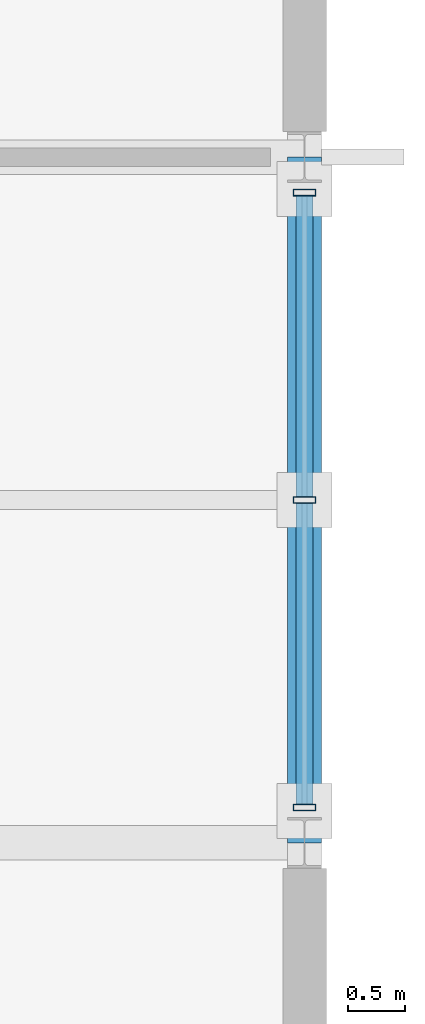
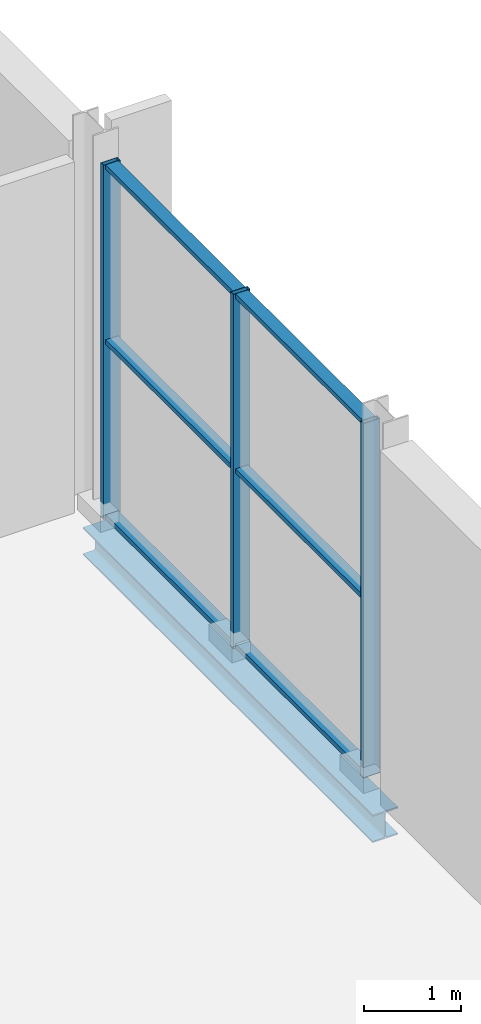
# One storey, part 118 of 159: 9 members, 1 beam, 1 element without a shape of its own.
"""IFC4 building model written with IfcOpenShell, lengths in metres."""

from ifc_helpers import new_model, si_unit, direction, frame, origin, origin_2d, place, context, subcontext, project, spatial, hollow_rectangle, i_section, extrude, material, material_profile, profile_set, type_object, element, aggregate, save


model = new_model("IFC4")

# Units and contexts
model_context = context("Model", 3, precision=1e-05, world=origin(), true_north=direction((0.0, 1.0)))
body_context = subcontext(model_context, "Body", "Model", "MODEL_VIEW")
ifc_project = project(units=[si_unit("LENGTHUNIT", "METRE"), si_unit("AREAUNIT", "SQUARE_METRE"), si_unit("VOLUMEUNIT", "CUBIC_METRE"), si_unit("PLANEANGLEUNIT", "RADIAN"), si_unit("MASSUNIT", "GRAM", prefix="KILO")], contexts=[model_context])

# Site, building, storey
site_placement = place(None, origin())
site = spatial("IfcSite", under=ifc_project, at=site_placement, CompositionType="ELEMENT")
building_placement = place(site_placement, origin())
building = spatial("IfcBuilding", under=site, at=building_placement, Name="Merenkruunu Market Hall", CompositionType="ELEMENT")
storey_placement = place(building_placement, frame((0.0, 0.0, 5.39990234375)))
storey = spatial("IfcBuildingStorey", under=building, at=storey_placement, Name="L01", CompositionType="ELEMENT", Elevation=5.39990234375)

# Curtain wall, members
ifc_material_1 = material(Name="Powder-coated aluminium", Category="aluminium")
curtain_wall_type = type_object("IfcCurtainWallType", Name="Glazed Curtain Wall CW13", PredefinedType="USERDEFINED", material=ifc_material_1)
curtain_wall_placement = place(storey_placement, origin())
curtain_wall = element("IfcCurtainWall", 1, at=curtain_wall_placement, inside=storey, type_object=curtain_wall_type, Name="CW-L01-CWM03-210", ObjectType="GLAZED_FACADE", PredefinedType="USERDEFINED")
ifc_material_profile_1 = material_profile(ifc_material_1, hollow_rectangle(XDim=0.06005859375, YDim=0.199951171875, WallThickness=0.0048828125, at=origin_2d()), Name="ALU 60x200x5")
ifc_profile_set_1 = profile_set([ifc_material_profile_1], Name="Powder-coated aluminium")
member_type_1 = type_object("IfcMemberType", Name="Curtain Wall Mullion CWM03", PredefinedType="MULLION", material=ifc_profile_set_1)
member_1_placement = place(storey_placement, frame((192.0, 51.2900390625, 0.0), z_axis=(0.0, 0.0, 1.0), x_axis=(0.0, -1.0, 0.0)))
member_1 = element("IfcMember", 2, at=member_1_placement, type_object=member_type_1, Name="CW13 mullion 1", PredefinedType="MULLION", context=body_context, shape_type="SweptSolid", body=[
    extrude(hollow_rectangle(XDim=0.06005859375, YDim=0.199951171875, WallThickness=0.0048828125, at=origin_2d()), origin(), (0.0, 0.0, 1.0), 4.47998046875),
])
member_2_placement = place(storey_placement, frame((192.0, 48.60009765625, 0.0), z_axis=(0.0, 0.0, 1.0), x_axis=(0.0, -1.0, 0.0)))
member_2 = element("IfcMember", 3, at=member_2_placement, type_object=member_type_1, Name="CW13 mullion 2", PredefinedType="MULLION", context=body_context, shape_type="SweptSolid", body=[
    extrude(hollow_rectangle(XDim=0.06005859375, YDim=0.199951171875, WallThickness=0.0048828125, at=origin_2d()), origin(), (0.0, 0.0, 1.0), 4.47998046875),
])
member_3_placement = place(storey_placement, frame((192.0, 45.909912109375, 0.0), z_axis=(0.0, 0.0, 1.0), x_axis=(0.0, -1.0, 0.0)))
member_3 = element("IfcMember", 4, at=member_3_placement, type_object=member_type_1, Name="CW13 mullion 3", PredefinedType="MULLION", context=body_context, shape_type="SweptSolid", body=[
    extrude(hollow_rectangle(XDim=0.06005859375, YDim=0.199951171875, WallThickness=0.0048828125, at=origin_2d()), origin(), (0.0, 0.0, 1.0), 4.47998046875),
])
ifc_material_profile_2 = material_profile(ifc_material_1, hollow_rectangle(XDim=0.06005859375, YDim=0.14990234375, WallThickness=0.00390625, at=origin_2d()), Name="ALU 60x150x4")
ifc_profile_set_2 = profile_set([ifc_material_profile_2], Name="Powder-coated aluminium")
member_type_2 = type_object("IfcMemberType", Name="Curtain Wall Transom CWT04", PredefinedType="USERDEFINED", material=ifc_profile_set_2)
member_4_placement = place(storey_placement, frame((192.0, 51.260009765625, 0.030029296875), z_axis=(0.0, -1.0, 0.0), x_axis=(0.0, 0.0, 1.0)))
member_4 = element("IfcMember", 5, at=member_4_placement, type_object=member_type_2, Name="CW13 transom 1.1", ObjectType="TRANSOM", PredefinedType="USERDEFINED", context=body_context, shape_type="SweptSolid", body=[
    extrude(hollow_rectangle(XDim=0.06005859375, YDim=0.14990234375, WallThickness=0.00390625, at=origin_2d()), origin(), (0.0, 0.0, 1.0), 2.630126953125),
])
member_5_placement = place(storey_placement, frame((192.0, 51.260009765625, 2.239990234375), z_axis=(0.0, -1.0, 0.0), x_axis=(0.0, 0.0, 1.0)))
member_5 = element("IfcMember", 6, at=member_5_placement, type_object=member_type_2, Name="CW13 transom 1.2", ObjectType="TRANSOM", PredefinedType="USERDEFINED", context=body_context, shape_type="SweptSolid", body=[
    extrude(hollow_rectangle(XDim=0.06005859375, YDim=0.14990234375, WallThickness=0.00390625, at=origin_2d()), origin(), (0.0, 0.0, 1.0), 2.630126953125),
])
member_6_placement = place(storey_placement, frame((192.0, 51.260009765625, 4.4501953125), z_axis=(0.0, -1.0, 0.0), x_axis=(0.0, 0.0, 1.0)))
member_6 = element("IfcMember", 7, at=member_6_placement, type_object=member_type_2, Name="CW13 transom 1.3", ObjectType="TRANSOM", PredefinedType="USERDEFINED", context=body_context, shape_type="SweptSolid", body=[
    extrude(hollow_rectangle(XDim=0.06005859375, YDim=0.14990234375, WallThickness=0.00390625, at=origin_2d()), origin(), (0.0, 0.0, 1.0), 2.630126953125),
])
member_7_placement = place(storey_placement, frame((192.0, 48.570068359375, 0.030029296875), z_axis=(0.0, -1.0, 0.0), x_axis=(0.0, 0.0, 1.0)))
member_7 = element("IfcMember", 8, at=member_7_placement, type_object=member_type_2, Name="CW13 transom 2.1", ObjectType="TRANSOM", PredefinedType="USERDEFINED", context=body_context, shape_type="SweptSolid", body=[
    extrude(hollow_rectangle(XDim=0.06005859375, YDim=0.14990234375, WallThickness=0.00390625, at=origin_2d()), origin(), (0.0, 0.0, 1.0), 2.630126953125),
])
member_8_placement = place(storey_placement, frame((192.0, 48.570068359375, 2.239990234375), z_axis=(0.0, -1.0, 0.0), x_axis=(0.0, 0.0, 1.0)))
member_8 = element("IfcMember", 9, at=member_8_placement, type_object=member_type_2, Name="CW13 transom 2.2", ObjectType="TRANSOM", PredefinedType="USERDEFINED", context=body_context, shape_type="SweptSolid", body=[
    extrude(hollow_rectangle(XDim=0.06005859375, YDim=0.14990234375, WallThickness=0.00390625, at=origin_2d()), origin(), (0.0, 0.0, 1.0), 2.630126953125),
])
member_9_placement = place(storey_placement, frame((192.0, 48.570068359375, 4.4501953125), z_axis=(0.0, -1.0, 0.0), x_axis=(0.0, 0.0, 1.0)))
member_9 = element("IfcMember", 10, at=member_9_placement, type_object=member_type_2, Name="CW13 transom 2.3", ObjectType="TRANSOM", PredefinedType="USERDEFINED", context=body_context, shape_type="SweptSolid", body=[
    extrude(hollow_rectangle(XDim=0.06005859375, YDim=0.14990234375, WallThickness=0.00390625, at=origin_2d()), origin(), (0.0, 0.0, 1.0), 2.630126953125),
])
aggregate(curtain_wall, [member_1, member_2, member_3, member_4, member_5, member_6, member_7, member_8, member_9])

# Beam
ifc_material_2 = material(Name="Steel S355J2", Category="steel")
ifc_material_profile_3 = material_profile(ifc_material_2, i_section(OverallWidth=0.300048828125, OverallDepth=0.35009765625, WebThickness=0.010009765625, FlangeThickness=0.017578125, FilletRadius=0.027099609375, at=origin_2d()), Name="HEA 360")
ifc_profile_set_3 = profile_set([ifc_material_profile_3], Name="Steel S355J2")
beam_type = type_object("IfcBeamType", Name="Primary Floor Girder B08", PredefinedType="BEAM", material=ifc_profile_set_3)
beam_placement = place(storey_placement, frame((192.0, 45.60009765625, -0.454833984375), z_axis=(0.0, 1.0, 0.0), x_axis=(-1.0, 0.0, 0.0)))
element("IfcBeam", 11, at=beam_placement, inside=storey, type_object=beam_type, Name="BM-L01-B08-0648", PredefinedType="BEAM", context=body_context, shape_type="SweptSolid", body=[
    extrude(i_section(OverallWidth=0.300048828125, OverallDepth=0.35009765625, WebThickness=0.010009765625, FlangeThickness=0.017578125, FilletRadius=0.027099609375, at=origin_2d()), origin(), (0.0, 0.0, 1.0), 6.0),
])

save(model, "model.ifc")
